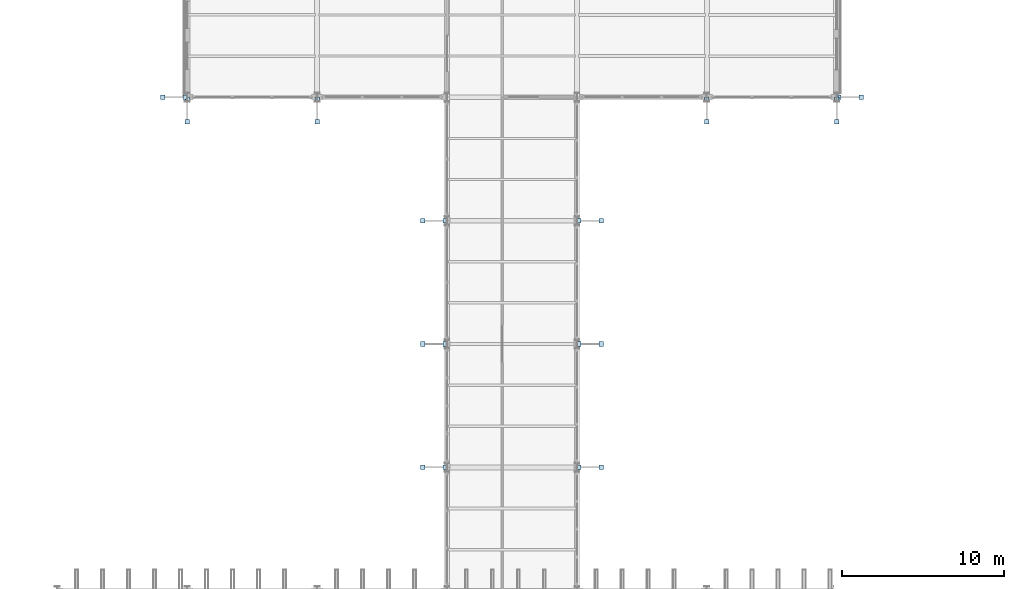
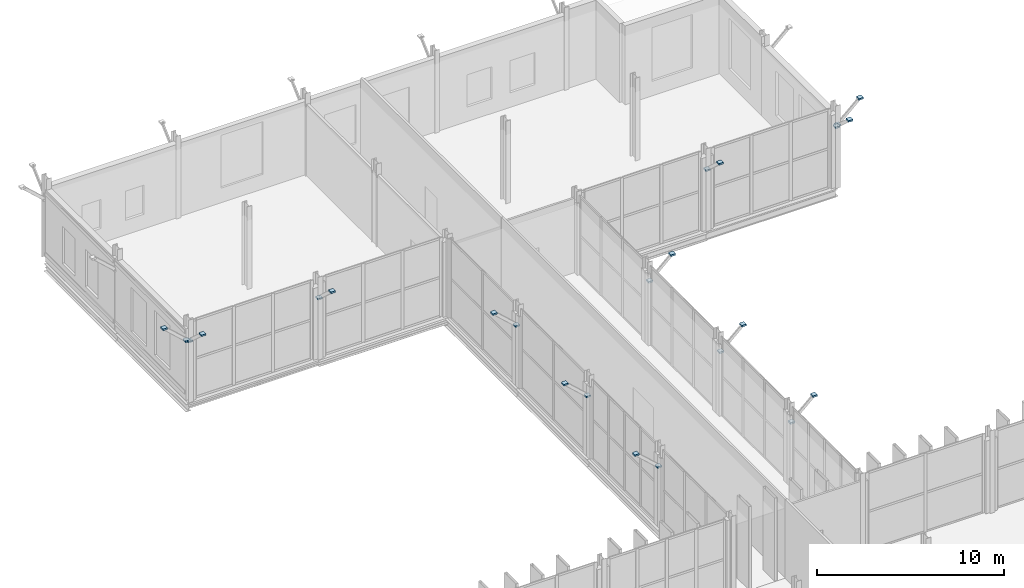
# One storey, part 110 of 147: 24 plates.
"""IFC4 building model written with IfcOpenShell, lengths in metres."""

from ifc_helpers import new_model, si_unit, direction, frame, origin, origin_2d, place, context, subcontext, project, spatial, rectangle, extrude, material, layer, layer_set, type_object, element, save


model = new_model("IFC4")

# Units and contexts
model_context = context("Model", 3, precision=1e-05, world=origin(), true_north=direction((0.0, 1.0)))
body_context = subcontext(model_context, "Body", "Model", "MODEL_VIEW")
ifc_project = project(units=[si_unit("LENGTHUNIT", "METRE"), si_unit("AREAUNIT", "SQUARE_METRE"), si_unit("VOLUMEUNIT", "CUBIC_METRE"), si_unit("PLANEANGLEUNIT", "RADIAN"), si_unit("MASSUNIT", "GRAM", prefix="KILO")], contexts=[model_context])

# Site, building, storey
site_placement = place(None, origin())
site = spatial("IfcSite", under=ifc_project, at=site_placement, CompositionType="ELEMENT")
building_placement = place(site_placement, origin())
building = spatial("IfcBuilding", under=site, at=building_placement, Name="Vekula Escarpment Museum", CompositionType="ELEMENT")
storey_placement = place(building_placement, frame((0.0, 0.0, 7.800048828125)))
storey = spatial("IfcBuildingStorey", under=building, at=storey_placement, Name="L02", CompositionType="ELEMENT", Elevation=7.800048828125)

# Plates
ifc_material = material(Name="Steel S355", Category="steel")
ifc_layer = layer(ifc_material, 0.01611328125)
ifc_layer_set = layer_set([ifc_layer], Name="Steel S355")
plate_type = type_object("IfcPlateType", Name="PL-CAP-16", PredefinedType="SHEET", material=ifc_layer_set)
for number, where, z_axis, x_axis, name in (
    (1, (77.88525390625, 120.800048828125, 3.89404296875), (0.0, 0.0, 1.0), (1.0, 0.0, 0.0), "Hollow section end cap CP-16"),
    (2, (76.49462890625, 120.800048828125, 5.163818359375), (0.0, 0.0, 1.0), (1.0, 0.0, 0.0), "Hollow section end cap CP-16"),
    (3, (78.0, 120.685302734375, 3.89404296875), (0.0, 0.0, 1.0), (1.0, 0.0, 0.0), "Hollow section end cap CP-16"),
    (4, (78.0, 119.294677734375, 5.163818359375), (0.0, 0.0, 1.0), (1.0, 0.0, 0.0), "Hollow section end cap CP-16"),
    (5, (86.0, 120.685302734375, 3.89404296875), (0.0, 0.0, 1.0), (1.0, 0.0, 0.0), "Hollow section end cap CP-16"),
    (6, (86.0, 119.294677734375, 5.163818359375), (0.0, 0.0, 1.0), (1.0, 0.0, 0.0), "Hollow section end cap CP-16"),
    (7, (93.88525390625, 98.0, 3.89404296875), (0.0, 0.0, 1.0), (1.0, 0.0, 0.0), "Hollow section end cap CP-16"),
    (8, (92.49462890625, 98.0, 5.163818359375), (0.0, 0.0, 1.0), (1.0, 0.0, 0.0), "Hollow section end cap CP-16"),
    (9, (93.88525390625, 105.60009765625, 3.89404296875), (0.0, 0.0, 1.0), (1.0, 0.0, 0.0), "Hollow section end cap CP-16"),
    (10, (92.49462890625, 105.60009765625, 5.163818359375), (0.0, 0.0, 1.0), (1.0, 0.0, 0.0), "Hollow section end cap CP-16"),
    (11, (93.88525390625, 113.199951171875, 3.89404296875), (0.0, 0.0, 1.0), (1.0, 0.0, 0.0), "Hollow section end cap CP-16"),
    (12, (92.49462890625, 113.199951171875, 5.163818359375), (0.0, 0.0, 1.0), (1.0, 0.0, 0.0), "Hollow section end cap CP-16"),
    (13, (102.11474609375, 98.0, 3.89404296875), (0.0, 0.0, 1.0), (1.0, 0.0, 0.0), "Hollow section end cap CP-16"),
    (14, (103.50537109375, 98.0, 5.163818359375), (0.0, 0.0, 1.0), (1.0, 0.0, 0.0), "Hollow section end cap CP-16"),
    (15, (102.11474609375, 105.60009765625, 3.89404296875), (0.0, 0.0, 1.0), (1.0, 0.0, 0.0), "Hollow section end cap CP-16"),
    (16, (103.50537109375, 105.60009765625, 5.163818359375), (0.0, 0.0, 1.0), (1.0, 0.0, 0.0), "Hollow section end cap CP-16"),
    (17, (102.11474609375, 113.199951171875, 3.89404296875), (0.0, 0.0, 1.0), (1.0, 0.0, 0.0), "Hollow section end cap CP-16"),
    (18, (103.50537109375, 113.199951171875, 5.163818359375), (0.0, 0.0, 1.0), (1.0, 0.0, 0.0), "Hollow section end cap CP-16"),
    (19, (110.0, 120.685302734375, 3.89404296875), (0.0, 0.0, 1.0), (1.0, 0.0, 0.0), "Hollow section end cap CP-16"),
    (20, (110.0, 119.294677734375, 5.163818359375), (0.0, 0.0, 1.0), (1.0, 0.0, 0.0), "Hollow section end cap CP-16"),
    (21, (118.11474609375, 120.800048828125, 3.89404296875), (0.0, 0.0, 1.0), (1.0, 0.0, 0.0), "Hollow section end cap CP-16"),
    (22, (119.50537109375, 120.800048828125, 5.163818359375), (0.0, 0.0, 1.0), (1.0, 0.0, 0.0), "Hollow section end cap CP-16"),
    (23, (118.0, 120.685302734375, 3.89404296875), (0.0, 0.0, 1.0), (1.0, 0.0, 0.0), "Hollow section end cap CP-16"),
    (24, (118.0, 119.294677734375, 5.163818359375), (0.0, 0.0, 1.0), (1.0, 0.0, 0.0), "Hollow section end cap CP-16"),
):
    element("IfcPlate", number, at=place(storey_placement, frame(where, z_axis=z_axis, x_axis=x_axis)), inside=storey, type_object=plate_type, Name=name, PredefinedType="SHEET", context=body_context, shape_type="SweptSolid", body=[
        extrude(rectangle(XDim=0.280029296875, YDim=0.280029296875, at=origin_2d()), origin(), (0.0, 0.0, 1.0), 0.10205078125),
    ])

save(model, "model.ifc")
